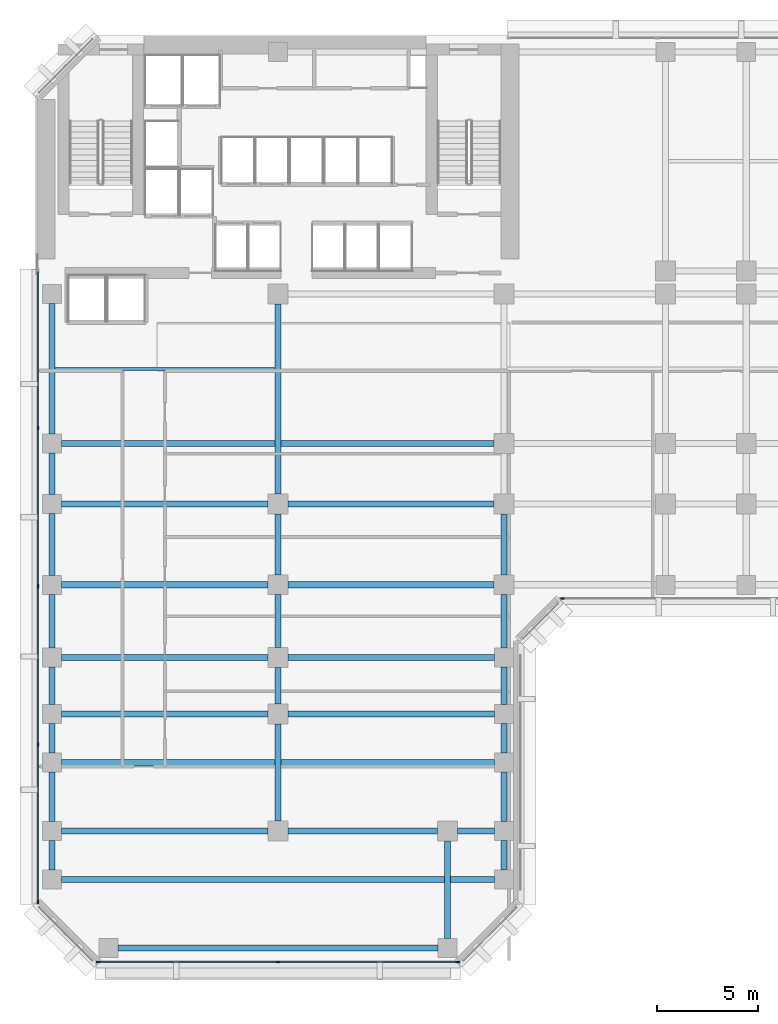
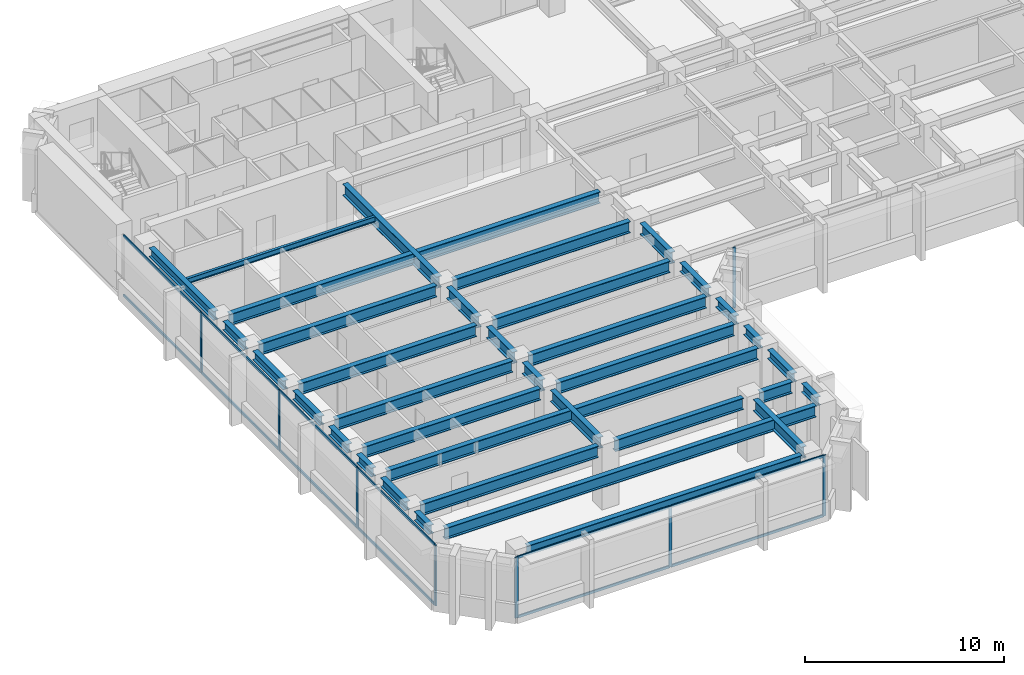
# One storey, part 2 of 13: 36 beams, 20 members, 3 elements without a shape of their own.
"""IFC4 building model written with IfcOpenShell, lengths in metres."""

from ifc_helpers import new_model, si_unit, direction, frame, origin, origin_2d, place, context, subcontext, project, spatial, rectangle, i_section, extrude, material, layer, layer_set, material_profile, profile_set, type_object, element, aggregate, save


model = new_model("IFC4")

# Units and contexts
model_context = context("Model", 3, precision=1e-05, world=origin(), true_north=direction((0.0, 1.0)))
body_context = subcontext(model_context, "Body", "Model", "MODEL_VIEW")
ifc_project = project(units=[si_unit("LENGTHUNIT", "METRE"), si_unit("AREAUNIT", "SQUARE_METRE"), si_unit("VOLUMEUNIT", "CUBIC_METRE"), si_unit("PLANEANGLEUNIT", "RADIAN"), si_unit("MASSUNIT", "GRAM", prefix="KILO")], contexts=[model_context])

# Site, building, storey
site_placement = place(None, origin())
site = spatial("IfcSite", under=ifc_project, at=site_placement, CompositionType="ELEMENT")
building_placement = place(site_placement, origin())
building = spatial("IfcBuilding", under=site, at=building_placement, Name="Kefirva Bronze Tower", CompositionType="ELEMENT")
storey_placement = place(building_placement, frame((0.0, 0.0, 85.800048828125)))
storey = spatial("IfcBuildingStorey", under=building, at=storey_placement, Name="L20", CompositionType="ELEMENT", Elevation=85.800048828125)

# Curtain wall, members
ifc_material_1 = material(Name="Bronze anodised aluminium", Category="aluminium")
ifc_layer = layer(ifc_material_1, 0.199951171875, Name="Bronze anodised aluminium")
ifc_layer_set = layer_set([ifc_layer], Name="Bronze anodised aluminium")
curtain_wall_type = type_object("IfcCurtainWallType", Name="Unitised Bronze Ribbon Curtain Wall Zone 1", PredefinedType="USERDEFINED", material=ifc_layer_set)
curtain_wall_1_placement = place(storey_placement, origin())
curtain_wall_1 = element("IfcCurtainWall", 1, at=curtain_wall_1_placement, inside=storey, type_object=curtain_wall_type, Name="L20 Curtain Wall 1", ObjectType="UNITISED CURTAIN WALL", PredefinedType="USERDEFINED")
ifc_material_profile_1 = material_profile(ifc_material_1, rectangle(XDim=0.074951171875, YDim=0.179931640625, at=origin_2d()), Name="ALU 75x180")
ifc_profile_set_1 = profile_set([ifc_material_profile_1], Name="Bronze anodised aluminium")
member_type_1 = type_object("IfcMemberType", Name="Bronze Mullion 75x180", PredefinedType="MULLION", material=ifc_profile_set_1)
member_1_placement = place(storey_placement, frame((3.092529296875, 0.1201171875, 0.0), z_axis=(0.0, 0.0, 1.0), x_axis=(0.0, 1.0, 0.0)))
member_1 = element("IfcMember", 2, at=member_1_placement, type_object=member_type_1, Name="CW-01 mullion 1", PredefinedType="MULLION", context=body_context, shape_type="SweptSolid", body=[
    extrude(rectangle(XDim=0.074951171875, YDim=0.179931640625, at=origin_2d()), origin(), (0.0, 0.0, 1.0), 3.7099609375),
])
member_2_placement = place(storey_placement, frame((12.0, 0.1201171875, 0.0), z_axis=(0.0, 0.0, 1.0), x_axis=(0.0, 1.0, 0.0)))
member_2 = element("IfcMember", 3, at=member_2_placement, type_object=member_type_1, Name="CW-01 mullion 2", PredefinedType="MULLION", context=body_context, shape_type="SweptSolid", body=[
    extrude(rectangle(XDim=0.074951171875, YDim=0.179931640625, at=origin_2d()), origin(), (0.0, 0.0, 1.0), 3.7099609375),
])
member_3_placement = place(storey_placement, frame((20.907470703125, 0.1201171875, 0.0), z_axis=(0.0, 0.0, 1.0), x_axis=(0.0, 1.0, 0.0)))
member_3 = element("IfcMember", 4, at=member_3_placement, type_object=member_type_1, Name="CW-01 mullion 3", PredefinedType="MULLION", context=body_context, shape_type="SweptSolid", body=[
    extrude(rectangle(XDim=0.074951171875, YDim=0.179931640625, at=origin_2d()), origin(), (0.0, 0.0, 1.0), 3.7099609375),
])

# Curtain wall, member
curtain_wall_2_placement = place(storey_placement, origin())
curtain_wall_2 = element("IfcCurtainWall", 5, at=curtain_wall_2_placement, inside=storey, type_object=curtain_wall_type, Name="L20 Curtain Wall 2", ObjectType="UNITISED CURTAIN WALL", PredefinedType="USERDEFINED")
member_4_placement = place(storey_placement, frame((26.092529296875, 18.1201171875, 0.0), z_axis=(0.0, 0.0, 1.0), x_axis=(0.0, 1.0, 0.0)))
member_4 = element("IfcMember", 6, at=member_4_placement, type_object=member_type_1, Name="CW-01 mullion 1", PredefinedType="MULLION", context=body_context, shape_type="SweptSolid", body=[
    extrude(rectangle(XDim=0.074951171875, YDim=0.179931640625, at=origin_2d()), origin(), (0.0, 0.0, 1.0), 3.7099609375),
])
aggregate(curtain_wall_2, [member_4])

# Curtain wall, members
curtain_wall_3_placement = place(storey_placement, origin())
curtain_wall_3 = element("IfcCurtainWall", 7, at=curtain_wall_3_placement, inside=storey, type_object=curtain_wall_type, Name="L20 Curtain Wall 5", ObjectType="UNITISED CURTAIN WALL", PredefinedType="USERDEFINED")
member_5_placement = place(storey_placement, frame((0.1201171875, 26.56005859375, 0.0), z_axis=(0.0, 0.0, 1.0), x_axis=(1.0, 0.0, 0.0)))
member_5 = element("IfcMember", 8, at=member_5_placement, type_object=member_type_1, Name="CW-01 mullion 2", PredefinedType="MULLION", context=body_context, shape_type="SweptSolid", body=[
    extrude(rectangle(XDim=0.074951171875, YDim=0.179931640625, at=origin_2d()), origin(), (0.0, 0.0, 1.0), 3.7099609375),
])
member_6_placement = place(storey_placement, frame((0.1201171875, 18.72509765625, 0.0), z_axis=(0.0, 0.0, 1.0), x_axis=(1.0, 0.0, 0.0)))
member_6 = element("IfcMember", 9, at=member_6_placement, type_object=member_type_1, Name="CW-01 mullion 3", PredefinedType="MULLION", context=body_context, shape_type="SweptSolid", body=[
    extrude(rectangle(XDim=0.074951171875, YDim=0.179931640625, at=origin_2d()), origin(), (0.0, 0.0, 1.0), 3.7099609375),
])
member_7_placement = place(storey_placement, frame((0.1201171875, 10.889892578125, 0.0), z_axis=(0.0, 0.0, 1.0), x_axis=(1.0, 0.0, 0.0)))
member_7 = element("IfcMember", 10, at=member_7_placement, type_object=member_type_1, Name="CW-01 mullion 4", PredefinedType="MULLION", context=body_context, shape_type="SweptSolid", body=[
    extrude(rectangle(XDim=0.074951171875, YDim=0.179931640625, at=origin_2d()), origin(), (0.0, 0.0, 1.0), 3.7099609375),
])
member_8_placement = place(storey_placement, frame((0.1201171875, 3.092529296875, 0.0), z_axis=(0.0, 0.0, 1.0), x_axis=(1.0, 0.0, 0.0)))
member_8 = element("IfcMember", 11, at=member_8_placement, type_object=member_type_1, Name="CW-01 mullion 5", PredefinedType="MULLION", context=body_context, shape_type="SweptSolid", body=[
    extrude(rectangle(XDim=0.074951171875, YDim=0.179931640625, at=origin_2d()), origin(), (0.0, 0.0, 1.0), 3.7099609375),
])

# Member
ifc_material_profile_2 = material_profile(ifc_material_1, rectangle(XDim=0.074951171875, YDim=0.14990234375, at=origin_2d()), Name="ALU 75x150")
ifc_profile_set_2 = profile_set([ifc_material_profile_2], Name="Bronze anodised aluminium")
member_type_2 = type_object("IfcMemberType", Name="Bronze Transom 75x150", PredefinedType="USERDEFINED", material=ifc_profile_set_2)
member_9_placement = place(storey_placement, frame((3.1298828125, 0.1201171875, 0.037353515625), z_axis=(1.0, 0.0, 0.0), x_axis=(0.0, 1.0, 0.0)))
member_9 = element("IfcMember", 12, at=member_9_placement, type_object=member_type_2, Name="CW-01 transom 1.1", ObjectType="TRANSOM", PredefinedType="USERDEFINED", context=body_context, shape_type="SweptSolid", body=[
    extrude(rectangle(XDim=0.074951171875, YDim=0.14990234375, at=origin_2d()), origin(), (0.0, 0.0, 1.0), 8.83251953125),
])

member_10_placement = place(storey_placement, frame((3.1298828125, 0.1201171875, 3.67236328125), z_axis=(1.0, 0.0, 0.0), x_axis=(0.0, 1.0, 0.0)))
member_10 = element("IfcMember", 13, at=member_10_placement, type_object=member_type_2, Name="CW-01 transom 1.2", ObjectType="TRANSOM", PredefinedType="USERDEFINED", context=body_context, shape_type="SweptSolid", body=[
    extrude(rectangle(XDim=0.074951171875, YDim=0.14990234375, at=origin_2d()), origin(), (0.0, 0.0, 1.0), 8.83251953125),
])

member_11_placement = place(storey_placement, frame((12.03759765625, 0.1201171875, 0.037353515625), z_axis=(1.0, 0.0, 0.0), x_axis=(0.0, 1.0, 0.0)))
member_11 = element("IfcMember", 14, at=member_11_placement, type_object=member_type_2, Name="CW-01 transom 2.1", ObjectType="TRANSOM", PredefinedType="USERDEFINED", context=body_context, shape_type="SweptSolid", body=[
    extrude(rectangle(XDim=0.074951171875, YDim=0.14990234375, at=origin_2d()), origin(), (0.0, 0.0, 1.0), 8.83251953125),
])

member_12_placement = place(storey_placement, frame((12.03759765625, 0.1201171875, 3.67236328125), z_axis=(1.0, 0.0, 0.0), x_axis=(0.0, 1.0, 0.0)))
member_12 = element("IfcMember", 15, at=member_12_placement, type_object=member_type_2, Name="CW-01 transom 2.2", ObjectType="TRANSOM", PredefinedType="USERDEFINED", context=body_context, shape_type="SweptSolid", body=[
    extrude(rectangle(XDim=0.074951171875, YDim=0.14990234375, at=origin_2d()), origin(), (0.0, 0.0, 1.0), 8.83251953125),
])

aggregate(curtain_wall_1, [member_1, member_2, member_3, member_9, member_10, member_11, member_12])

member_13_placement = place(storey_placement, frame((0.1201171875, 34.320068359375, 0.037353515625), z_axis=(0.0, -1.0, 0.0), x_axis=(1.0, 0.0, 0.0)))
member_13 = element("IfcMember", 16, at=member_13_placement, type_object=member_type_2, Name="CW-01 transom 1.1", ObjectType="TRANSOM", PredefinedType="USERDEFINED", context=body_context, shape_type="SweptSolid", body=[
    extrude(rectangle(XDim=0.074951171875, YDim=0.14990234375, at=origin_2d()), origin(), (0.0, 0.0, 1.0), 7.72265625),
])

member_14_placement = place(storey_placement, frame((0.1201171875, 34.320068359375, 3.67236328125), z_axis=(0.0, -1.0, 0.0), x_axis=(1.0, 0.0, 0.0)))
member_14 = element("IfcMember", 17, at=member_14_placement, type_object=member_type_2, Name="CW-01 transom 1.2", ObjectType="TRANSOM", PredefinedType="USERDEFINED", context=body_context, shape_type="SweptSolid", body=[
    extrude(rectangle(XDim=0.074951171875, YDim=0.14990234375, at=origin_2d()), origin(), (0.0, 0.0, 1.0), 7.72265625),
])

member_15_placement = place(storey_placement, frame((0.1201171875, 26.5224609375, 0.037353515625), z_axis=(0.0, -1.0, 0.0), x_axis=(1.0, 0.0, 0.0)))
member_15 = element("IfcMember", 18, at=member_15_placement, type_object=member_type_2, Name="CW-01 transom 2.1", ObjectType="TRANSOM", PredefinedType="USERDEFINED", context=body_context, shape_type="SweptSolid", body=[
    extrude(rectangle(XDim=0.074951171875, YDim=0.14990234375, at=origin_2d()), origin(), (0.0, 0.0, 1.0), 7.760009765625),
])

member_16_placement = place(storey_placement, frame((0.1201171875, 26.5224609375, 3.67236328125), z_axis=(0.0, -1.0, 0.0), x_axis=(1.0, 0.0, 0.0)))
member_16 = element("IfcMember", 19, at=member_16_placement, type_object=member_type_2, Name="CW-01 transom 2.2", ObjectType="TRANSOM", PredefinedType="USERDEFINED", context=body_context, shape_type="SweptSolid", body=[
    extrude(rectangle(XDim=0.074951171875, YDim=0.14990234375, at=origin_2d()), origin(), (0.0, 0.0, 1.0), 7.760009765625),
])

member_17_placement = place(storey_placement, frame((0.1201171875, 18.6875, 0.037353515625), z_axis=(0.0, -1.0, 0.0), x_axis=(1.0, 0.0, 0.0)))
member_17 = element("IfcMember", 20, at=member_17_placement, type_object=member_type_2, Name="CW-01 transom 3.1", ObjectType="TRANSOM", PredefinedType="USERDEFINED", context=body_context, shape_type="SweptSolid", body=[
    extrude(rectangle(XDim=0.074951171875, YDim=0.14990234375, at=origin_2d()), origin(), (0.0, 0.0, 1.0), 7.760009765625),
])

member_18_placement = place(storey_placement, frame((0.1201171875, 18.6875, 3.67236328125), z_axis=(0.0, -1.0, 0.0), x_axis=(1.0, 0.0, 0.0)))
member_18 = element("IfcMember", 21, at=member_18_placement, type_object=member_type_2, Name="CW-01 transom 3.2", ObjectType="TRANSOM", PredefinedType="USERDEFINED", context=body_context, shape_type="SweptSolid", body=[
    extrude(rectangle(XDim=0.074951171875, YDim=0.14990234375, at=origin_2d()), origin(), (0.0, 0.0, 1.0), 7.760009765625),
])

member_19_placement = place(storey_placement, frame((0.1201171875, 10.8525390625, 0.037353515625), z_axis=(0.0, -1.0, 0.0), x_axis=(1.0, 0.0, 0.0)))
member_19 = element("IfcMember", 22, at=member_19_placement, type_object=member_type_2, Name="CW-01 transom 4.1", ObjectType="TRANSOM", PredefinedType="USERDEFINED", context=body_context, shape_type="SweptSolid", body=[
    extrude(rectangle(XDim=0.074951171875, YDim=0.14990234375, at=origin_2d()), origin(), (0.0, 0.0, 1.0), 7.72265625),
])

member_20_placement = place(storey_placement, frame((0.1201171875, 10.8525390625, 3.67236328125), z_axis=(0.0, -1.0, 0.0), x_axis=(1.0, 0.0, 0.0)))
member_20 = element("IfcMember", 23, at=member_20_placement, type_object=member_type_2, Name="CW-01 transom 4.2", ObjectType="TRANSOM", PredefinedType="USERDEFINED", context=body_context, shape_type="SweptSolid", body=[
    extrude(rectangle(XDim=0.074951171875, YDim=0.14990234375, at=origin_2d()), origin(), (0.0, 0.0, 1.0), 7.72265625),
])

aggregate(curtain_wall_3, [member_5, member_6, member_7, member_8, member_13, member_14, member_15, member_16, member_17, member_18, member_19, member_20])

# Beams
ifc_material_2 = material(Name="Steel S355", Category="steel")
ifc_material_profile_3 = material_profile(ifc_material_2, i_section(OverallWidth=0.159912109375, OverallDepth=0.330078125, WebThickness=0.007568359375, FlangeThickness=0.011474609375, at=origin_2d()), Name="IPE 330")
ifc_profile_set_3 = profile_set([ifc_material_profile_3], Name="Steel S355")
beam_type_1 = type_object("IfcBeamType", Name="Steel Floor Joist IPE 330", PredefinedType="JOIST", material=ifc_profile_set_3)
beam_1_placement = place(storey_placement, frame((0.949951171875, 29.489990234375, 3.544921875), z_axis=(1.0, 0.0, 0.0), x_axis=(0.0, 1.0, 0.0)))
element("IfcBeam", 24, at=beam_1_placement, inside=storey, type_object=beam_type_1, Name="L20 JST-L20-0-294", PredefinedType="JOIST", context=body_context, shape_type="SweptSolid", body=[
    extrude(i_section(OverallWidth=0.159912109375, OverallDepth=0.330078125, WebThickness=0.007568359375, FlangeThickness=0.011474609375, at=origin_2d()), origin(), (0.0, 0.0, 1.0), 10.900146484375),
])
ifc_material_profile_4 = material_profile(ifc_material_2, i_section(OverallWidth=0.300048828125, OverallDepth=0.699951171875, WebThickness=0.01708984375, FlangeThickness=0.031982421875, at=origin_2d()), Name="HEB 700")
ifc_profile_set_4 = profile_set([ifc_material_profile_4], Name="Steel S355")
beam_type_2 = type_object("IfcBeamType", Name="Steel Girder HEB 700", PredefinedType="USERDEFINED", material=ifc_profile_set_4)
beam_2_placement = place(storey_placement, frame((1.27001953125, 4.199951171875, 3.35986328125), z_axis=(1.0, 0.0, 0.0), x_axis=(0.0, 1.0, 0.0)))
element("IfcBeam", 25, at=beam_2_placement, inside=storey, type_object=beam_type_2, Name="L20 BM-L20-EW-0-42", ObjectType="GIRDER", PredefinedType="USERDEFINED", context=body_context, shape_type="SweptSolid", body=[
    extrude(i_section(OverallWidth=0.300048828125, OverallDepth=0.699951171875, WebThickness=0.01708984375, FlangeThickness=0.031982421875, at=origin_2d()), origin(), (0.0, 0.0, 1.0), 21.4599609375),
])
beam_3_placement = place(storey_placement, frame((1.27001953125, 6.60009765625, 3.35986328125), z_axis=(1.0, 0.0, 0.0), x_axis=(0.0, 1.0, 0.0)))
element("IfcBeam", 26, at=beam_3_placement, inside=storey, type_object=beam_type_2, Name="L20 BM-L20-EW-0-66", ObjectType="GIRDER", PredefinedType="USERDEFINED", context=body_context, shape_type="SweptSolid", body=[
    extrude(i_section(OverallWidth=0.300048828125, OverallDepth=0.699951171875, WebThickness=0.01708984375, FlangeThickness=0.031982421875, at=origin_2d()), origin(), (0.0, 0.0, 1.0), 10.239990234375),
])
beam_4_placement = place(storey_placement, frame((12.489990234375, 6.60009765625, 3.35986328125), z_axis=(1.0, 0.0, 0.0), x_axis=(0.0, 1.0, 0.0)))
element("IfcBeam", 27, at=beam_4_placement, inside=storey, type_object=beam_type_2, Name="L20 BM-L20-EW-12-66", ObjectType="GIRDER", PredefinedType="USERDEFINED", context=body_context, shape_type="SweptSolid", body=[
    extrude(i_section(OverallWidth=0.300048828125, OverallDepth=0.699951171875, WebThickness=0.01708984375, FlangeThickness=0.031982421875, at=origin_2d()), origin(), (0.0, 0.0, 1.0), 7.419921875),
])
beam_5_placement = place(storey_placement, frame((20.889892578125, 6.60009765625, 3.35986328125), z_axis=(1.0, 0.0, 0.0), x_axis=(0.0, 1.0, 0.0)))
element("IfcBeam", 28, at=beam_5_placement, inside=storey, type_object=beam_type_2, Name="L20 BM-L20-EW-20-66", ObjectType="GIRDER", PredefinedType="USERDEFINED", context=body_context, shape_type="SweptSolid", body=[
    extrude(i_section(OverallWidth=0.300048828125, OverallDepth=0.699951171875, WebThickness=0.01708984375, FlangeThickness=0.031982421875, at=origin_2d()), origin(), (0.0, 0.0, 1.0), 1.840087890625),
])
beam_6_placement = place(storey_placement, frame((1.27001953125, 10.0, 3.35986328125), z_axis=(1.0, 0.0, 0.0), x_axis=(0.0, 1.0, 0.0)))
element("IfcBeam", 29, at=beam_6_placement, inside=storey, type_object=beam_type_2, Name="L20 BM-L20-EW-0-100", ObjectType="GIRDER", PredefinedType="USERDEFINED", context=body_context, shape_type="SweptSolid", body=[
    extrude(i_section(OverallWidth=0.300048828125, OverallDepth=0.699951171875, WebThickness=0.01708984375, FlangeThickness=0.031982421875, at=origin_2d()), origin(), (0.0, 0.0, 1.0), 21.4599609375),
])
for number, where, z_axis, x_axis, name in (
    (30, (1.27001953125, 12.39990234375, 3.35986328125), (1.0, 0.0, 0.0), (0.0, 1.0, 0.0), "L20 BM-L20-EW-0-124"),
    (31, (12.489990234375, 12.39990234375, 3.35986328125), (1.0, 0.0, 0.0), (0.0, 1.0, 0.0), "L20 BM-L20-EW-12-124"),
    (32, (1.27001953125, 15.199951171875, 3.35986328125), (1.0, 0.0, 0.0), (0.0, 1.0, 0.0), "L20 BM-L20-EW-0-152"),
    (33, (12.489990234375, 15.199951171875, 3.35986328125), (1.0, 0.0, 0.0), (0.0, 1.0, 0.0), "L20 BM-L20-EW-12-152"),
    (34, (1.27001953125, 18.800048828125, 3.35986328125), (1.0, 0.0, 0.0), (0.0, 1.0, 0.0), "L20 BM-L20-EW-0-188"),
):
    element("IfcBeam", number, at=place(storey_placement, frame(where, z_axis=z_axis, x_axis=x_axis)), inside=storey, type_object=beam_type_2, Name=name, ObjectType="GIRDER", PredefinedType="USERDEFINED", context=body_context, shape_type="SweptSolid", body=[
        extrude(i_section(OverallWidth=0.300048828125, OverallDepth=0.699951171875, WebThickness=0.01708984375, FlangeThickness=0.031982421875, at=origin_2d()), origin(), (0.0, 0.0, 1.0), 10.239990234375),
    ])
beam_7_placement = place(storey_placement, frame((12.489990234375, 18.800048828125, 3.35986328125), z_axis=(1.0, 0.0, 0.0), x_axis=(0.0, 1.0, 0.0)))
element("IfcBeam", 35, at=beam_7_placement, inside=storey, type_object=beam_type_2, Name="L20 BM-L20-EW-12-188", ObjectType="GIRDER", PredefinedType="USERDEFINED", context=body_context, shape_type="SweptSolid", body=[
    extrude(i_section(OverallWidth=0.300048828125, OverallDepth=0.699951171875, WebThickness=0.01708984375, FlangeThickness=0.031982421875, at=origin_2d()), origin(), (0.0, 0.0, 1.0), 10.219970703125),
])
beam_8_placement = place(storey_placement, frame((1.27001953125, 22.800048828125, 3.35986328125), z_axis=(1.0, 0.0, 0.0), x_axis=(0.0, 1.0, 0.0)))
element("IfcBeam", 36, at=beam_8_placement, inside=storey, type_object=beam_type_2, Name="L20 BM-L20-EW-0-228", ObjectType="GIRDER", PredefinedType="USERDEFINED", context=body_context, shape_type="SweptSolid", body=[
    extrude(i_section(OverallWidth=0.300048828125, OverallDepth=0.699951171875, WebThickness=0.01708984375, FlangeThickness=0.031982421875, at=origin_2d()), origin(), (0.0, 0.0, 1.0), 10.239990234375),
])
beam_9_placement = place(storey_placement, frame((12.489990234375, 22.800048828125, 3.35986328125), z_axis=(1.0, 0.0, 0.0), x_axis=(0.0, 1.0, 0.0)))
element("IfcBeam", 37, at=beam_9_placement, inside=storey, type_object=beam_type_2, Name="L20 BM-L20-EW-12-228", ObjectType="GIRDER", PredefinedType="USERDEFINED", context=body_context, shape_type="SweptSolid", body=[
    extrude(i_section(OverallWidth=0.300048828125, OverallDepth=0.699951171875, WebThickness=0.01708984375, FlangeThickness=0.031982421875, at=origin_2d()), origin(), (0.0, 0.0, 1.0), 10.219970703125),
])
beam_10_placement = place(storey_placement, frame((1.27001953125, 25.800048828125, 3.35986328125), z_axis=(1.0, 0.0, 0.0), x_axis=(0.0, 1.0, 0.0)))
element("IfcBeam", 38, at=beam_10_placement, inside=storey, type_object=beam_type_2, Name="L20 BM-L20-EW-0-258", ObjectType="GIRDER", PredefinedType="USERDEFINED", context=body_context, shape_type="SweptSolid", body=[
    extrude(i_section(OverallWidth=0.300048828125, OverallDepth=0.699951171875, WebThickness=0.01708984375, FlangeThickness=0.031982421875, at=origin_2d()), origin(), (0.0, 0.0, 1.0), 21.43994140625),
])
beam_11_placement = place(storey_placement, frame((12.0, 7.090087890625, 3.35986328125), z_axis=(0.0, 1.0, 0.0), x_axis=(-1.0, 0.0, 0.0)))
element("IfcBeam", 39, at=beam_11_placement, inside=storey, type_object=beam_type_2, Name="L20 BM-L20-NS-120-6", ObjectType="GIRDER", PredefinedType="USERDEFINED", context=body_context, shape_type="SweptSolid", body=[
    extrude(i_section(OverallWidth=0.300048828125, OverallDepth=0.699951171875, WebThickness=0.01708984375, FlangeThickness=0.031982421875, at=origin_2d()), origin(), (0.0, 0.0, 1.0), 4.81982421875),
])
beam_12_placement = place(storey_placement, frame((12.0, 12.889892578125, 3.35986328125), z_axis=(0.0, 1.0, 0.0), x_axis=(-1.0, 0.0, 0.0)))
element("IfcBeam", 40, at=beam_12_placement, inside=storey, type_object=beam_type_2, Name="L20 BM-L20-NS-120-12", ObjectType="GIRDER", PredefinedType="USERDEFINED", context=body_context, shape_type="SweptSolid", body=[
    extrude(i_section(OverallWidth=0.300048828125, OverallDepth=0.699951171875, WebThickness=0.01708984375, FlangeThickness=0.031982421875, at=origin_2d()), origin(), (0.0, 0.0, 1.0), 1.820068359375),
])
beam_13_placement = place(storey_placement, frame((12.0, 15.68994140625, 3.35986328125), z_axis=(0.0, 1.0, 0.0), x_axis=(-1.0, 0.0, 0.0)))
element("IfcBeam", 41, at=beam_13_placement, inside=storey, type_object=beam_type_2, Name="L20 BM-L20-NS-120-15", ObjectType="GIRDER", PredefinedType="USERDEFINED", context=body_context, shape_type="SweptSolid", body=[
    extrude(i_section(OverallWidth=0.300048828125, OverallDepth=0.699951171875, WebThickness=0.01708984375, FlangeThickness=0.031982421875, at=origin_2d()), origin(), (0.0, 0.0, 1.0), 2.6201171875),
])
beam_14_placement = place(storey_placement, frame((12.0, 19.2900390625, 3.35986328125), z_axis=(0.0, 1.0, 0.0), x_axis=(-1.0, 0.0, 0.0)))
element("IfcBeam", 42, at=beam_14_placement, inside=storey, type_object=beam_type_2, Name="L20 BM-L20-NS-120-18", ObjectType="GIRDER", PredefinedType="USERDEFINED", context=body_context, shape_type="SweptSolid", body=[
    extrude(i_section(OverallWidth=0.300048828125, OverallDepth=0.699951171875, WebThickness=0.01708984375, FlangeThickness=0.031982421875, at=origin_2d()), origin(), (0.0, 0.0, 1.0), 3.02001953125),
])
beam_15_placement = place(storey_placement, frame((12.0, 23.2900390625, 3.35986328125), z_axis=(0.0, 1.0, 0.0), x_axis=(-1.0, 0.0, 0.0)))
element("IfcBeam", 43, at=beam_15_placement, inside=storey, type_object=beam_type_2, Name="L20 BM-L20-NS-120-22", ObjectType="GIRDER", PredefinedType="USERDEFINED", context=body_context, shape_type="SweptSolid", body=[
    extrude(i_section(OverallWidth=0.300048828125, OverallDepth=0.699951171875, WebThickness=0.01708984375, FlangeThickness=0.031982421875, at=origin_2d()), origin(), (0.0, 0.0, 1.0), 9.419921875),
])
beam_16_placement = place(storey_placement, frame((20.39990234375, 1.27001953125, 3.35986328125), z_axis=(0.0, 1.0, 0.0), x_axis=(-1.0, 0.0, 0.0)))
element("IfcBeam", 44, at=beam_16_placement, inside=storey, type_object=beam_type_2, Name="L20 BM-L20-NS-204-0", ObjectType="GIRDER", PredefinedType="USERDEFINED", context=body_context, shape_type="SweptSolid", body=[
    extrude(i_section(OverallWidth=0.300048828125, OverallDepth=0.699951171875, WebThickness=0.01708984375, FlangeThickness=0.031982421875, at=origin_2d()), origin(), (0.0, 0.0, 1.0), 4.840087890625),
])
beam_17_placement = place(storey_placement, frame((23.199951171875, 19.2900390625, 3.35986328125), z_axis=(0.0, 1.0, 0.0), x_axis=(-1.0, 0.0, 0.0)))
element("IfcBeam", 45, at=beam_17_placement, inside=storey, type_object=beam_type_2, Name="L20 BM-L20-NS-232-18", ObjectType="GIRDER", PredefinedType="USERDEFINED", context=body_context, shape_type="SweptSolid", body=[
    extrude(i_section(OverallWidth=0.300048828125, OverallDepth=0.699951171875, WebThickness=0.01708984375, FlangeThickness=0.031982421875, at=origin_2d()), origin(), (0.0, 0.0, 1.0), 3.02001953125),
])
ifc_material_profile_5 = material_profile(ifc_material_2, i_section(OverallWidth=0.300048828125, OverallDepth=0.550048828125, WebThickness=0.014892578125, FlangeThickness=0.029052734375, at=origin_2d()), Name="HEB 550")
ifc_profile_set_5 = profile_set([ifc_material_profile_5], Name="Steel S355")
beam_type_3 = type_object("IfcBeamType", Name="Steel Spandrel HEB 550 Ext", PredefinedType="SPANDREL", material=ifc_profile_set_5)
beam_18_placement = place(storey_placement, frame((4.070068359375, 0.800048828125, 3.43505859375), z_axis=(1.0, 0.0, 0.0), x_axis=(0.0, 1.0, 0.0)))
element("IfcBeam", 46, at=beam_18_placement, inside=storey, type_object=beam_type_3, Name="L20 BM-L20-EW-3-8", PredefinedType="SPANDREL", context=body_context, shape_type="SweptSolid", body=[
    extrude(i_section(OverallWidth=0.300048828125, OverallDepth=0.550048828125, WebThickness=0.014892578125, FlangeThickness=0.029052734375, at=origin_2d()), origin(), (0.0, 0.0, 1.0), 15.85986328125),
])
beam_19_placement = place(storey_placement, frame((0.800048828125, 4.669921875, 3.43505859375), z_axis=(0.0, 1.0, 0.0), x_axis=(-1.0, 0.0, 0.0)))
element("IfcBeam", 47, at=beam_19_placement, inside=storey, type_object=beam_type_3, Name="L20 BM-L20-NS-8-4", PredefinedType="SPANDREL", context=body_context, shape_type="SweptSolid", body=[
    extrude(i_section(OverallWidth=0.300048828125, OverallDepth=0.550048828125, WebThickness=0.014892578125, FlangeThickness=0.029052734375, at=origin_2d()), origin(), (0.0, 0.0, 1.0), 1.4599609375),
])
beam_20_placement = place(storey_placement, frame((0.800048828125, 7.070068359375, 3.43505859375), z_axis=(0.0, 1.0, 0.0), x_axis=(-1.0, 0.0, 0.0)))
element("IfcBeam", 48, at=beam_20_placement, inside=storey, type_object=beam_type_3, Name="L20 BM-L20-NS-8-6", PredefinedType="SPANDREL", context=body_context, shape_type="SweptSolid", body=[
    extrude(i_section(OverallWidth=0.300048828125, OverallDepth=0.550048828125, WebThickness=0.014892578125, FlangeThickness=0.029052734375, at=origin_2d()), origin(), (0.0, 0.0, 1.0), 2.4599609375),
])
beam_21_placement = place(storey_placement, frame((0.800048828125, 10.469970703125, 3.43505859375), z_axis=(0.0, 1.0, 0.0), x_axis=(-1.0, 0.0, 0.0)))
element("IfcBeam", 49, at=beam_21_placement, inside=storey, type_object=beam_type_3, Name="L20 BM-L20-NS-8-10", PredefinedType="SPANDREL", context=body_context, shape_type="SweptSolid", body=[
    extrude(i_section(OverallWidth=0.300048828125, OverallDepth=0.550048828125, WebThickness=0.014892578125, FlangeThickness=0.029052734375, at=origin_2d()), origin(), (0.0, 0.0, 1.0), 1.4599609375),
])
beam_22_placement = place(storey_placement, frame((0.800048828125, 12.8701171875, 3.43505859375), z_axis=(0.0, 1.0, 0.0), x_axis=(-1.0, 0.0, 0.0)))
element("IfcBeam", 50, at=beam_22_placement, inside=storey, type_object=beam_type_3, Name="L20 BM-L20-NS-8-12", PredefinedType="SPANDREL", context=body_context, shape_type="SweptSolid", body=[
    extrude(i_section(OverallWidth=0.300048828125, OverallDepth=0.550048828125, WebThickness=0.014892578125, FlangeThickness=0.029052734375, at=origin_2d()), origin(), (0.0, 0.0, 1.0), 1.85986328125),
])
beam_23_placement = place(storey_placement, frame((0.800048828125, 15.669921875, 3.43505859375), z_axis=(0.0, 1.0, 0.0), x_axis=(-1.0, 0.0, 0.0)))
element("IfcBeam", 51, at=beam_23_placement, inside=storey, type_object=beam_type_3, Name="L20 BM-L20-NS-8-15", PredefinedType="SPANDREL", context=body_context, shape_type="SweptSolid", body=[
    extrude(i_section(OverallWidth=0.300048828125, OverallDepth=0.550048828125, WebThickness=0.014892578125, FlangeThickness=0.029052734375, at=origin_2d()), origin(), (0.0, 0.0, 1.0), 2.66015625),
])
beam_24_placement = place(storey_placement, frame((0.800048828125, 19.27001953125, 3.43505859375), z_axis=(0.0, 1.0, 0.0), x_axis=(-1.0, 0.0, 0.0)))
element("IfcBeam", 52, at=beam_24_placement, inside=storey, type_object=beam_type_3, Name="L20 BM-L20-NS-8-18", PredefinedType="SPANDREL", context=body_context, shape_type="SweptSolid", body=[
    extrude(i_section(OverallWidth=0.300048828125, OverallDepth=0.550048828125, WebThickness=0.014892578125, FlangeThickness=0.029052734375, at=origin_2d()), origin(), (0.0, 0.0, 1.0), 3.06005859375),
])
beam_25_placement = place(storey_placement, frame((0.800048828125, 23.27001953125, 3.43505859375), z_axis=(0.0, 1.0, 0.0), x_axis=(-1.0, 0.0, 0.0)))
element("IfcBeam", 53, at=beam_25_placement, inside=storey, type_object=beam_type_3, Name="L20 BM-L20-NS-8-22", PredefinedType="SPANDREL", context=body_context, shape_type="SweptSolid", body=[
    extrude(i_section(OverallWidth=0.300048828125, OverallDepth=0.550048828125, WebThickness=0.014892578125, FlangeThickness=0.029052734375, at=origin_2d()), origin(), (0.0, 0.0, 1.0), 2.06005859375),
])
beam_26_placement = place(storey_placement, frame((0.800048828125, 26.27001953125, 3.43505859375), z_axis=(0.0, 1.0, 0.0), x_axis=(-1.0, 0.0, 0.0)))
element("IfcBeam", 54, at=beam_26_placement, inside=storey, type_object=beam_type_3, Name="L20 BM-L20-NS-8-25", PredefinedType="SPANDREL", context=body_context, shape_type="SweptSolid", body=[
    extrude(i_section(OverallWidth=0.300048828125, OverallDepth=0.550048828125, WebThickness=0.014892578125, FlangeThickness=0.029052734375, at=origin_2d()), origin(), (0.0, 0.0, 1.0), 6.4599609375),
])
beam_27_placement = place(storey_placement, frame((23.199951171875, 4.669921875, 3.43505859375), z_axis=(0.0, 1.0, 0.0), x_axis=(-1.0, 0.0, 0.0)))
element("IfcBeam", 55, at=beam_27_placement, inside=storey, type_object=beam_type_3, Name="L20 BM-L20-NS-232-4", PredefinedType="SPANDREL", context=body_context, shape_type="SweptSolid", body=[
    extrude(i_section(OverallWidth=0.300048828125, OverallDepth=0.550048828125, WebThickness=0.014892578125, FlangeThickness=0.029052734375, at=origin_2d()), origin(), (0.0, 0.0, 1.0), 1.4599609375),
])
beam_28_placement = place(storey_placement, frame((23.199951171875, 7.070068359375, 3.43505859375), z_axis=(0.0, 1.0, 0.0), x_axis=(-1.0, 0.0, 0.0)))
element("IfcBeam", 56, at=beam_28_placement, inside=storey, type_object=beam_type_3, Name="L20 BM-L20-NS-232-6", PredefinedType="SPANDREL", context=body_context, shape_type="SweptSolid", body=[
    extrude(i_section(OverallWidth=0.300048828125, OverallDepth=0.550048828125, WebThickness=0.014892578125, FlangeThickness=0.029052734375, at=origin_2d()), origin(), (0.0, 0.0, 1.0), 2.4599609375),
])
beam_29_placement = place(storey_placement, frame((23.199951171875, 10.469970703125, 3.43505859375), z_axis=(0.0, 1.0, 0.0), x_axis=(-1.0, 0.0, 0.0)))
element("IfcBeam", 57, at=beam_29_placement, inside=storey, type_object=beam_type_3, Name="L20 BM-L20-NS-232-10", PredefinedType="SPANDREL", context=body_context, shape_type="SweptSolid", body=[
    extrude(i_section(OverallWidth=0.300048828125, OverallDepth=0.550048828125, WebThickness=0.014892578125, FlangeThickness=0.029052734375, at=origin_2d()), origin(), (0.0, 0.0, 1.0), 1.4599609375),
])
beam_30_placement = place(storey_placement, frame((23.199951171875, 12.8701171875, 3.43505859375), z_axis=(0.0, 1.0, 0.0), x_axis=(-1.0, 0.0, 0.0)))
element("IfcBeam", 58, at=beam_30_placement, inside=storey, type_object=beam_type_3, Name="L20 BM-L20-NS-232-12", PredefinedType="SPANDREL", context=body_context, shape_type="SweptSolid", body=[
    extrude(i_section(OverallWidth=0.300048828125, OverallDepth=0.550048828125, WebThickness=0.014892578125, FlangeThickness=0.029052734375, at=origin_2d()), origin(), (0.0, 0.0, 1.0), 1.85986328125),
])
beam_31_placement = place(storey_placement, frame((23.199951171875, 15.669921875, 3.43505859375), z_axis=(0.0, 1.0, 0.0), x_axis=(-1.0, 0.0, 0.0)))
element("IfcBeam", 59, at=beam_31_placement, inside=storey, type_object=beam_type_3, Name="L20 BM-L20-NS-232-15", PredefinedType="SPANDREL", context=body_context, shape_type="SweptSolid", body=[
    extrude(i_section(OverallWidth=0.300048828125, OverallDepth=0.550048828125, WebThickness=0.014892578125, FlangeThickness=0.029052734375, at=origin_2d()), origin(), (0.0, 0.0, 1.0), 2.64013671875),
])

save(model, "model.ifc")
